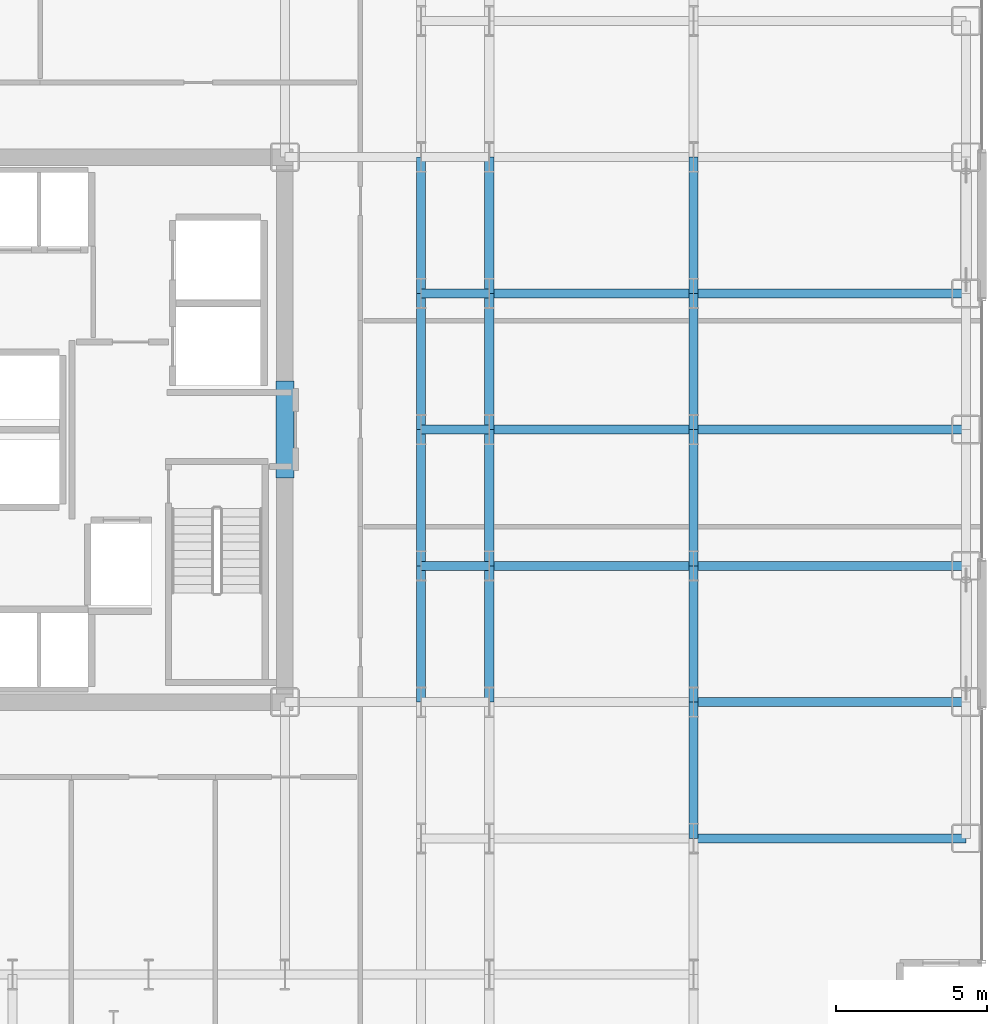
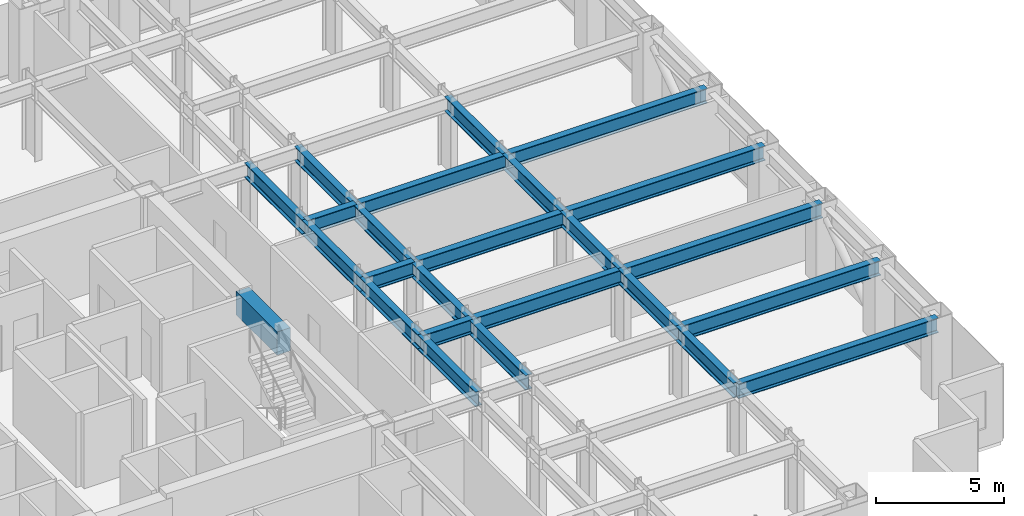
# One storey, part 10 of 28: 25 beams.
"""IFC4 building model written with IfcOpenShell, lengths in metres."""

from ifc_helpers import new_model, si_unit, direction, frame, origin, origin_2d, place, context, subcontext, project, spatial, rectangle, i_section, extrude, source, transform, mapped, material, material_profile, profile_set, type_object, element, save


model = new_model("IFC4")

# Units and contexts
model_context = context("Model", 3, precision=1e-05, world=origin(), true_north=direction((0.0, 1.0)))
body_context = subcontext(model_context, "Body", "Model", "MODEL_VIEW")
ifc_project = project(units=[si_unit("LENGTHUNIT", "METRE"), si_unit("AREAUNIT", "SQUARE_METRE"), si_unit("VOLUMEUNIT", "CUBIC_METRE"), si_unit("PLANEANGLEUNIT", "RADIAN"), si_unit("MASSUNIT", "GRAM", prefix="KILO")], contexts=[model_context])

# Site, building, storey
site_placement = place(None, origin())
site = spatial("IfcSite", under=ifc_project, at=site_placement, CompositionType="ELEMENT")
building_placement = place(site_placement, origin())
building = spatial("IfcBuilding", under=site, at=building_placement, Name="Nefas-Gora Pilgrimage Tower", CompositionType="ELEMENT")
storey_placement = place(building_placement, frame((0.0, 0.0, 102.199951171875)))
storey = spatial("IfcBuildingStorey", under=building, at=storey_placement, Name="L24", CompositionType="ELEMENT", Elevation=102.199951171875)

# Beams
ifc_material_1 = material(Name="Concrete C60/75", Category="concrete")
ifc_material_profile_1 = material_profile(ifc_material_1, rectangle(XDim=0.60009765625, YDim=1.10009765625, at=origin_2d()), Name="RC 600x1100")
ifc_profile_set_1 = profile_set([ifc_material_profile_1], Name="Concrete C60/75")
beam_type_1 = type_object("IfcBeamType", Name="BM-LIN-RC1100", PredefinedType="LINTEL", material=ifc_profile_set_1)
shared_shape_1 = source(origin(), body_context, "Body", "SweptSolid", [
    extrude(rectangle(XDim=0.60009765625, YDim=1.10009765625, at=origin_2d()), origin(), (0.0, 0.0, 1.0), 3.2001953125),
])
beam_placement = place(storey_placement, frame((11.25, -1.60009765625, 3.0), z_axis=(0.0, 1.0, 0.0), x_axis=(-1.0, 0.0, 0.0)))
element("IfcBeam", 1, at=beam_placement, inside=storey, type_object=beam_type_1, Name="L24 Core Coupling Lintel Beam E", PredefinedType="LINTEL", context=body_context, shape_type="MappedRepresentation", body=[
    mapped(shared_shape_1, transform((0.0, 0.0, 0.0), x_axis=(1.0, 0.0, 0.0), y_axis=(0.0, 1.0, 0.0), z_axis=(0.0, 0.0, 1.0), scale=1.0)),
])
ifc_material_2 = material(Name="Steel S355", Category="steel")
ifc_material_profile_2 = material_profile(ifc_material_2, i_section(OverallWidth=0.300048828125, OverallDepth=0.699951171875, WebThickness=0.01708984375, FlangeThickness=0.031982421875, FilletRadius=0.027099609375, at=origin_2d()), Name="HEB 700")
ifc_profile_set_2 = profile_set([ifc_material_profile_2], Name="Steel S355")
beam_type_2 = type_object("IfcBeamType", Name="BM-GIR-HEB700", PredefinedType="BEAM", material=ifc_profile_set_2)
shared_shape_2 = source(origin(), body_context, "Body", "SweptSolid", [
    extrude(i_section(OverallWidth=0.300048828125, OverallDepth=0.699951171875, WebThickness=0.01708984375, FlangeThickness=0.031982421875, FilletRadius=0.027099609375, at=origin_2d()), origin(), (0.0, 0.0, 1.0), 9.0),
])
for number, where, z_axis, x_axis, name in (
    (2, (24.75, -13.5, 3.199951171875), (1.0, 0.0, 0.0), (0.0, 1.0, 0.0), "L24 G-02 beam"),
    (3, (24.75, -9.0, 3.199951171875), (1.0, 0.0, 0.0), (0.0, 1.0, 0.0), "L24 G-02 beam"),
    (4, (24.75, -4.5, 3.199951171875), (1.0, 0.0, 0.0), (0.0, 1.0, 0.0), "L24 G-02 beam"),
    (5, (24.75, 0.0, 3.199951171875), (1.0, 0.0, 0.0), (0.0, 1.0, 0.0), "L24 G-02 beam"),
    (6, (24.75, 4.5, 3.199951171875), (1.0, 0.0, 0.0), (0.0, 1.0, 0.0), "L24 G-02 beam"),
):
    element("IfcBeam", number, at=place(storey_placement, frame(where, z_axis=z_axis, x_axis=x_axis)), inside=storey, type_object=beam_type_2, Name=name, PredefinedType="BEAM", context=body_context, shape_type="MappedRepresentation", body=[
        mapped(shared_shape_2, transform((0.0, 0.0, 0.0), x_axis=(1.0, 0.0, 0.0), y_axis=(0.0, 1.0, 0.0), z_axis=(0.0, 0.0, 1.0), scale=1.0)),
    ])
shared_shape_3 = source(origin(), body_context, "Body", "SweptSolid", [
    extrude(i_section(OverallWidth=0.300048828125, OverallDepth=0.699951171875, WebThickness=0.01708984375, FlangeThickness=0.031982421875, FilletRadius=0.027099609375, at=origin_2d()), origin(), (0.0, 0.0, 1.0), 4.5),
])
for number, where, z_axis, x_axis, name in (
    (7, (15.75, -9.0, 3.199951171875), (0.0, 1.0, 0.0), (-1.0, 0.0, 0.0), "L24 G-02 beam"),
    (8, (15.75, -4.5, 3.199951171875), (0.0, 1.0, 0.0), (-1.0, 0.0, 0.0), "L24 G-02 beam"),
    (9, (15.75, 0.0, 3.199951171875), (0.0, 1.0, 0.0), (-1.0, 0.0, 0.0), "L24 G-02 beam"),
    (10, (15.75, 4.5, 3.199951171875), (0.0, 1.0, 0.0), (-1.0, 0.0, 0.0), "L24 G-02 beam"),
    (11, (18.0, -9.0, 3.199951171875), (0.0, 1.0, 0.0), (-1.0, 0.0, 0.0), "L24 G-02 beam"),
    (12, (18.0, -4.5, 3.199951171875), (0.0, 1.0, 0.0), (-1.0, 0.0, 0.0), "L24 G-02 beam"),
    (13, (18.0, 0.0, 3.199951171875), (0.0, 1.0, 0.0), (-1.0, 0.0, 0.0), "L24 G-02 beam"),
    (14, (18.0, 4.5, 3.199951171875), (0.0, 1.0, 0.0), (-1.0, 0.0, 0.0), "L24 G-02 beam"),
    (15, (24.75, -13.5, 3.199951171875), (0.0, 1.0, 0.0), (-1.0, 0.0, 0.0), "L24 G-02 beam"),
    (16, (24.75, -9.0, 3.199951171875), (0.0, 1.0, 0.0), (-1.0, 0.0, 0.0), "L24 G-02 beam"),
    (17, (24.75, -4.5, 3.199951171875), (0.0, 1.0, 0.0), (-1.0, 0.0, 0.0), "L24 G-02 beam"),
    (18, (24.75, 0.0, 3.199951171875), (0.0, 1.0, 0.0), (-1.0, 0.0, 0.0), "L24 G-02 beam"),
    (19, (24.75, 4.5, 3.199951171875), (0.0, 1.0, 0.0), (-1.0, 0.0, 0.0), "L24 G-02 beam"),
):
    element("IfcBeam", number, at=place(storey_placement, frame(where, z_axis=z_axis, x_axis=x_axis)), inside=storey, type_object=beam_type_2, Name=name, PredefinedType="BEAM", context=body_context, shape_type="MappedRepresentation", body=[
        mapped(shared_shape_3, transform((0.0, 0.0, 0.0), x_axis=(1.0, 0.0, 0.0), y_axis=(0.0, 1.0, 0.0), z_axis=(0.0, 0.0, 1.0), scale=1.0)),
    ])
shared_shape_4 = source(origin(), body_context, "Body", "SweptSolid", [
    extrude(i_section(OverallWidth=0.300048828125, OverallDepth=0.699951171875, WebThickness=0.01708984375, FlangeThickness=0.031982421875, FilletRadius=0.027099609375, at=origin_2d()), origin(), (0.0, 0.0, 1.0), 6.75),
])
for number, where, z_axis, x_axis, name in (
    (20, (18.0, -4.5, 3.199951171875), (1.0, 0.0, 0.0), (0.0, 1.0, 0.0), "L24 G-02 beam"),
    (21, (18.0, 0.0, 3.199951171875), (1.0, 0.0, 0.0), (0.0, 1.0, 0.0), "L24 G-02 beam"),
    (22, (18.0, 4.5, 3.199951171875), (1.0, 0.0, 0.0), (0.0, 1.0, 0.0), "L24 G-02 beam"),
):
    element("IfcBeam", number, at=place(storey_placement, frame(where, z_axis=z_axis, x_axis=x_axis)), inside=storey, type_object=beam_type_2, Name=name, PredefinedType="BEAM", context=body_context, shape_type="MappedRepresentation", body=[
        mapped(shared_shape_4, transform((0.0, 0.0, 0.0), x_axis=(1.0, 0.0, 0.0), y_axis=(0.0, 1.0, 0.0), z_axis=(0.0, 0.0, 1.0), scale=1.0)),
    ])
shared_shape_5 = source(origin(), body_context, "Body", "SweptSolid", [
    extrude(i_section(OverallWidth=0.300048828125, OverallDepth=0.699951171875, WebThickness=0.01708984375, FlangeThickness=0.031982421875, FilletRadius=0.027099609375, at=origin_2d()), origin(), (0.0, 0.0, 1.0), 2.25),
])
for number, where, z_axis, x_axis, name in (
    (23, (15.75, -4.5, 3.199951171875), (1.0, 0.0, 0.0), (0.0, 1.0, 0.0), "L24 G-02 beam"),
    (24, (15.75, 0.0, 3.199951171875), (1.0, 0.0, 0.0), (0.0, 1.0, 0.0), "L24 G-02 beam"),
    (25, (15.75, 4.5, 3.199951171875), (1.0, 0.0, 0.0), (0.0, 1.0, 0.0), "L24 G-02 beam"),
):
    element("IfcBeam", number, at=place(storey_placement, frame(where, z_axis=z_axis, x_axis=x_axis)), inside=storey, type_object=beam_type_2, Name=name, PredefinedType="BEAM", context=body_context, shape_type="MappedRepresentation", body=[
        mapped(shared_shape_5, transform((0.0, 0.0, 0.0), x_axis=(1.0, 0.0, 0.0), y_axis=(0.0, 1.0, 0.0), z_axis=(0.0, 0.0, 1.0), scale=1.0)),
    ])

save(model, "model.ifc")
